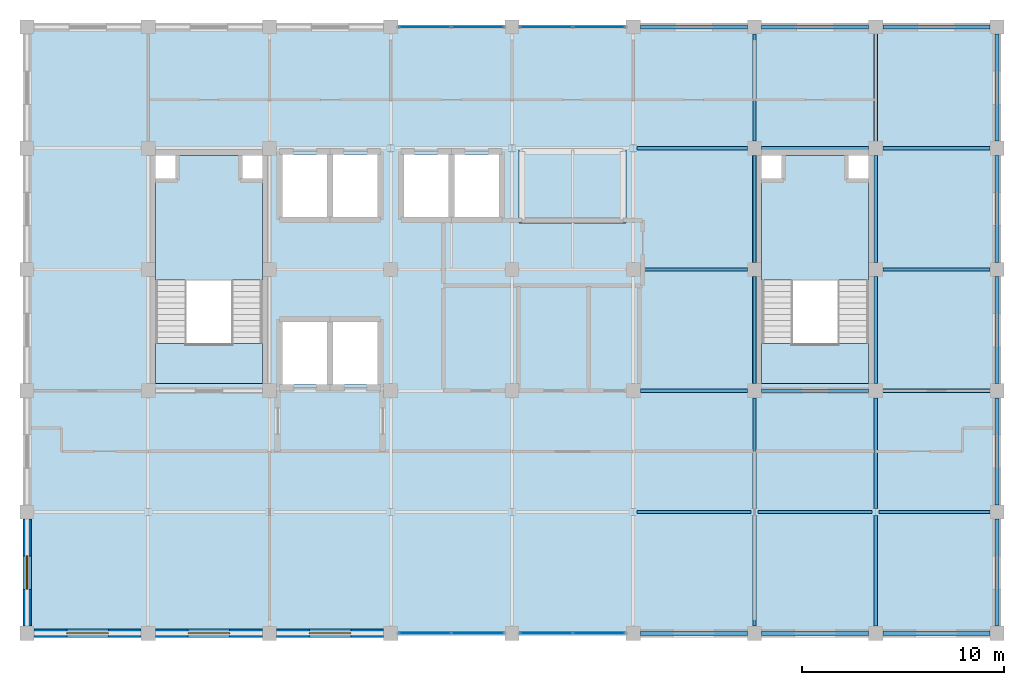
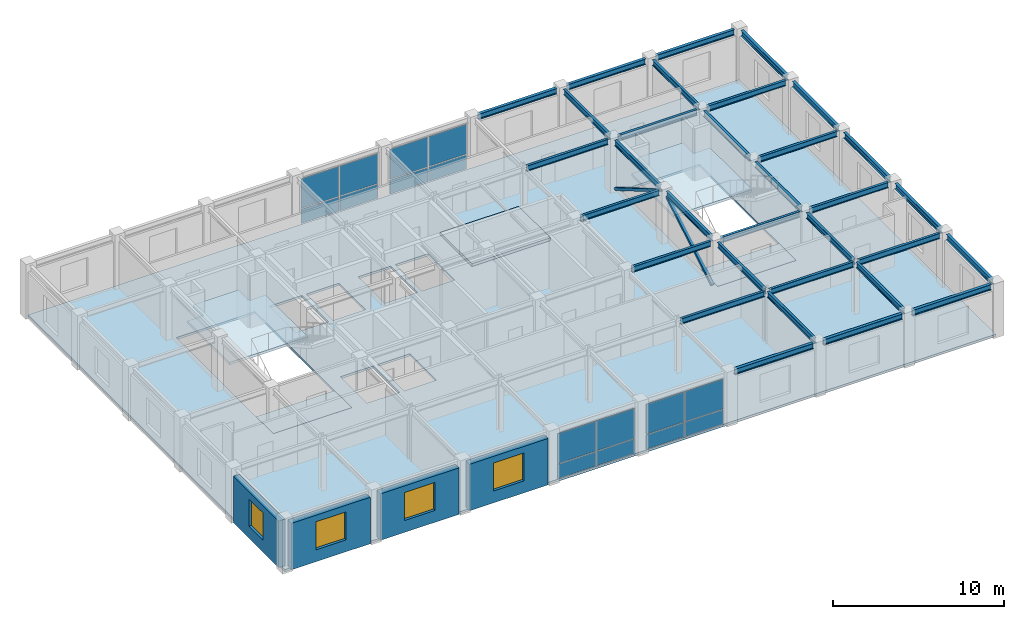
# One storey, part 8 of 13: 32 beams, 16 plates, 6 slabs, 4 walls, 4 windows, 2 members, 4 openings, 6 elements without a shape of their own.
"""IFC4 building model written with IfcOpenShell, lengths in metres."""

from ifc_helpers import new_model, si_unit, direction, frame, frame_2d, origin, origin_2d, place, context, subcontext, project, spatial, polyline, rectangle, hollow_rectangle, i_section, outline, extrude, material, layer, layer_set, material_profile, profile_set, type_object, element, fill, aggregate, save


model = new_model("IFC4")

# Units and contexts
model_context = context("Model", 3, precision=1e-05, world=origin(), true_north=direction((0.0, 1.0)))
body_context = subcontext(model_context, "Body", "Model", "MODEL_VIEW")
ifc_project = project(units=[si_unit("LENGTHUNIT", "METRE"), si_unit("AREAUNIT", "SQUARE_METRE"), si_unit("VOLUMEUNIT", "CUBIC_METRE"), si_unit("PLANEANGLEUNIT", "RADIAN"), si_unit("MASSUNIT", "GRAM", prefix="KILO")], contexts=[model_context])

# Site, building, storey
site_placement = place(None, origin())
site = spatial("IfcSite", under=ifc_project, at=site_placement, CompositionType="ELEMENT")
building_placement = place(site_placement, origin())
building = spatial("IfcBuilding", under=site, at=building_placement, Name="Zlatovratsky Civic Hall", CompositionType="ELEMENT")
storey_placement = place(building_placement, frame((0.0, 0.0, 44.39990234375)))
storey = spatial("IfcBuildingStorey", under=building, at=storey_placement, Name="L11", CompositionType="ELEMENT", Elevation=44.39990234375)

# Beams
ifc_material_1 = material(Name="Steel S355", Category="steel")
ifc_material_profile_1 = material_profile(ifc_material_1, i_section(OverallWidth=0.199951171875, OverallDepth=0.39990234375, WebThickness=0.008056640625, FlangeThickness=0.012939453125, FilletRadius=0.014892578125, at=origin_2d()), Name="40B2")
ifc_profile_set_1 = profile_set([ifc_material_profile_1], Name="Steel S355")
beam_type_1 = type_object("IfcBeamType", Name="Beam_Spandrel_40B2", PredefinedType="SPANDREL", material=ifc_profile_set_1)
for number, where, z_axis, x_axis, name in (
    (1, (90.35009765625, 72.0, 3.5400390625), (1.0, 0.0, 0.0), (0.0, 1.0, 0.0), "BM-4708"),
    (2, (96.35009765625, 72.0, 3.5400390625), (1.0, 0.0, 0.0), (0.0, 1.0, 0.0), "BM-4709"),
    (3, (102.35009765625, 72.0, 3.5400390625), (1.0, 0.0, 0.0), (0.0, 1.0, 0.0), "BM-4710"),
    (4, (90.35009765625, 102.0, 3.5400390625), (1.0, 0.0, 0.0), (0.0, 1.0, 0.0), "BM-4746"),
    (5, (96.35009765625, 102.0, 3.5400390625), (1.0, 0.0, 0.0), (0.0, 1.0, 0.0), "BM-4747"),
    (6, (102.35009765625, 102.0, 3.5400390625), (1.0, 0.0, 0.0), (0.0, 1.0, 0.0), "BM-4748"),
    (7, (108.0, 72.35009765625, 3.5400390625), (0.0, 1.0, 0.0), (-1.0, 0.0, 0.0), "BM-4789"),
    (8, (108.0, 78.35009765625, 3.5400390625), (0.0, 1.0, 0.0), (-1.0, 0.0, 0.0), "BM-4790"),
    (9, (108.0, 84.35009765625, 3.5400390625), (0.0, 1.0, 0.0), (-1.0, 0.0, 0.0), "BM-4791"),
    (10, (108.0, 90.35009765625, 3.5400390625), (0.0, 1.0, 0.0), (-1.0, 0.0, 0.0), "BM-4792"),
    (11, (108.0, 96.35009765625, 3.5400390625), (0.0, 1.0, 0.0), (-1.0, 0.0, 0.0), "BM-4793"),
):
    element("IfcBeam", number, at=place(storey_placement, frame(where, z_axis=z_axis, x_axis=x_axis)), inside=storey, type_object=beam_type_1, Name=name, PredefinedType="SPANDREL", context=body_context, shape_type="SweptSolid", body=[
        extrude(i_section(OverallWidth=0.199951171875, OverallDepth=0.39990234375, WebThickness=0.008056640625, FlangeThickness=0.012939453125, FilletRadius=0.014892578125, at=origin_2d()), origin(), (0.0, 0.0, 1.0), 5.2998046875),
    ])
ifc_material_profile_2 = material_profile(ifc_material_1, i_section(OverallWidth=0.1650390625, OverallDepth=0.39208984375, WebThickness=0.006591796875, FlangeThickness=0.009521484375, FilletRadius=0.014892578125, at=origin_2d()), Name="40B1")
ifc_profile_set_2 = profile_set([ifc_material_profile_2], Name="Steel S355")
beam_type_2 = type_object("IfcBeamType", Name="Beam_Tie_40B1", PredefinedType="BEAM", material=ifc_profile_set_2)
for number, where, z_axis, x_axis, name in (
    (12, (90.175048828125, 78.0, 3.544189453125), (1.0, 0.0, 0.0), (0.0, 1.0, 0.0), "BM-4716"),
    (13, (96.175048828125, 78.0, 3.544189453125), (1.0, 0.0, 0.0), (0.0, 1.0, 0.0), "BM-4717"),
):
    element("IfcBeam", number, at=place(storey_placement, frame(where, z_axis=z_axis, x_axis=x_axis)), inside=storey, type_object=beam_type_2, Name=name, PredefinedType="BEAM", context=body_context, shape_type="SweptSolid", body=[
        extrude(i_section(OverallWidth=0.1650390625, OverallDepth=0.39208984375, WebThickness=0.006591796875, FlangeThickness=0.009521484375, FilletRadius=0.014892578125, at=origin_2d()), origin(), (0.0, 0.0, 1.0), 5.64990234375),
    ])
beam_1_placement = place(storey_placement, frame((102.175048828125, 78.0, 3.544189453125), z_axis=(1.0, 0.0, 0.0), x_axis=(0.0, 1.0, 0.0)))
element("IfcBeam", 14, at=beam_1_placement, inside=storey, type_object=beam_type_2, Name="BM-4718", PredefinedType="BEAM", context=body_context, shape_type="SweptSolid", body=[
    extrude(i_section(OverallWidth=0.1650390625, OverallDepth=0.39208984375, WebThickness=0.006591796875, FlangeThickness=0.009521484375, FilletRadius=0.014892578125, at=origin_2d()), origin(), (0.0, 0.0, 1.0), 5.474853515625),
])
for number, where, z_axis, x_axis, name in (
    (15, (90.35009765625, 84.0, 3.544189453125), (1.0, 0.0, 0.0), (0.0, 1.0, 0.0), "BM-4724"),
    (16, (96.35009765625, 84.0, 3.544189453125), (1.0, 0.0, 0.0), (0.0, 1.0, 0.0), "BM-4725"),
    (17, (102.35009765625, 84.0, 3.544189453125), (1.0, 0.0, 0.0), (0.0, 1.0, 0.0), "BM-4726"),
    (18, (90.35009765625, 90.0, 3.544189453125), (1.0, 0.0, 0.0), (0.0, 1.0, 0.0), "BM-4731"),
    (19, (102.35009765625, 90.0, 3.544189453125), (1.0, 0.0, 0.0), (0.0, 1.0, 0.0), "BM-4732"),
):
    element("IfcBeam", number, at=place(storey_placement, frame(where, z_axis=z_axis, x_axis=x_axis)), inside=storey, type_object=beam_type_2, Name=name, PredefinedType="BEAM", context=body_context, shape_type="SweptSolid", body=[
        extrude(i_section(OverallWidth=0.1650390625, OverallDepth=0.39208984375, WebThickness=0.006591796875, FlangeThickness=0.009521484375, FilletRadius=0.014892578125, at=origin_2d()), origin(), (0.0, 0.0, 1.0), 5.2998046875),
    ])
beam_2_placement = place(storey_placement, frame((90.175048828125, 96.0, 3.544189453125), z_axis=(1.0, 0.0, 0.0), x_axis=(0.0, 1.0, 0.0)))
element("IfcBeam", 20, at=beam_2_placement, inside=storey, type_object=beam_type_2, Name="BM-4738", PredefinedType="BEAM", context=body_context, shape_type="SweptSolid", body=[
    extrude(i_section(OverallWidth=0.1650390625, OverallDepth=0.39208984375, WebThickness=0.006591796875, FlangeThickness=0.009521484375, FilletRadius=0.014892578125, at=origin_2d()), origin(), (0.0, 0.0, 1.0), 5.474853515625),
])
for number, where, z_axis, x_axis, name in (
    (21, (96.35009765625, 96.0, 3.544189453125), (1.0, 0.0, 0.0), (0.0, 1.0, 0.0), "BM-4739"),
    (22, (102.35009765625, 96.0, 3.544189453125), (1.0, 0.0, 0.0), (0.0, 1.0, 0.0), "BM-4740"),
):
    element("IfcBeam", number, at=place(storey_placement, frame(where, z_axis=z_axis, x_axis=x_axis)), inside=storey, type_object=beam_type_2, Name=name, PredefinedType="BEAM", context=body_context, shape_type="SweptSolid", body=[
        extrude(i_section(OverallWidth=0.1650390625, OverallDepth=0.39208984375, WebThickness=0.006591796875, FlangeThickness=0.009521484375, FilletRadius=0.014892578125, at=origin_2d()), origin(), (0.0, 0.0, 1.0), 5.2998046875),
    ])
for number, where, z_axis, x_axis, name in (
    (23, (96.0, 72.35009765625, 3.544189453125), (0.0, 1.0, 0.0), (-1.0, 0.0, 0.0), "BM-4779"),
    (24, (96.0, 78.17138671875, 3.544189453125), (0.0, 1.0, 0.0), (-1.0, 0.0, 0.0), "BM-4780"),
):
    element("IfcBeam", number, at=place(storey_placement, frame(where, z_axis=z_axis, x_axis=x_axis)), inside=storey, type_object=beam_type_2, Name=name, PredefinedType="BEAM", context=body_context, shape_type="SweptSolid", body=[
        extrude(i_section(OverallWidth=0.1650390625, OverallDepth=0.39208984375, WebThickness=0.006591796875, FlangeThickness=0.009521484375, FilletRadius=0.014892578125, at=origin_2d()), origin(), (0.0, 0.0, 1.0), 5.478515625),
    ])
for number, where, z_axis, x_axis, name in (
    (25, (96.0, 84.35009765625, 3.544189453125), (0.0, 1.0, 0.0), (-1.0, 0.0, 0.0), "BM-4781"),
    (26, (96.0, 90.35009765625, 3.544189453125), (0.0, 1.0, 0.0), (-1.0, 0.0, 0.0), "BM-4782"),
    (27, (96.0, 96.35009765625, 3.544189453125), (0.0, 1.0, 0.0), (-1.0, 0.0, 0.0), "BM-4783"),
):
    element("IfcBeam", number, at=place(storey_placement, frame(where, z_axis=z_axis, x_axis=x_axis)), inside=storey, type_object=beam_type_2, Name=name, PredefinedType="BEAM", context=body_context, shape_type="SweptSolid", body=[
        extrude(i_section(OverallWidth=0.1650390625, OverallDepth=0.39208984375, WebThickness=0.006591796875, FlangeThickness=0.009521484375, FilletRadius=0.014892578125, at=origin_2d()), origin(), (0.0, 0.0, 1.0), 5.2998046875),
    ])
for number, where, z_axis, x_axis, name in (
    (28, (102.0, 72.35009765625, 3.544189453125), (0.0, 1.0, 0.0), (-1.0, 0.0, 0.0), "BM-4784"),
    (29, (102.0, 78.17138671875, 3.544189453125), (0.0, 1.0, 0.0), (-1.0, 0.0, 0.0), "BM-4785"),
):
    element("IfcBeam", number, at=place(storey_placement, frame(where, z_axis=z_axis, x_axis=x_axis)), inside=storey, type_object=beam_type_2, Name=name, PredefinedType="BEAM", context=body_context, shape_type="SweptSolid", body=[
        extrude(i_section(OverallWidth=0.1650390625, OverallDepth=0.39208984375, WebThickness=0.006591796875, FlangeThickness=0.009521484375, FilletRadius=0.014892578125, at=origin_2d()), origin(), (0.0, 0.0, 1.0), 5.478515625),
    ])
for number, where, z_axis, x_axis, name in (
    (30, (102.0, 84.35009765625, 3.544189453125), (0.0, 1.0, 0.0), (-1.0, 0.0, 0.0), "BM-4786"),
    (31, (102.0, 90.35009765625, 3.544189453125), (0.0, 1.0, 0.0), (-1.0, 0.0, 0.0), "BM-4787"),
    (32, (102.0, 96.35009765625, 3.544189453125), (0.0, 1.0, 0.0), (-1.0, 0.0, 0.0), "BM-4788"),
):
    element("IfcBeam", number, at=place(storey_placement, frame(where, z_axis=z_axis, x_axis=x_axis)), inside=storey, type_object=beam_type_2, Name=name, PredefinedType="BEAM", context=body_context, shape_type="SweptSolid", body=[
        extrude(i_section(OverallWidth=0.1650390625, OverallDepth=0.39208984375, WebThickness=0.006591796875, FlangeThickness=0.009521484375, FilletRadius=0.014892578125, at=origin_2d()), origin(), (0.0, 0.0, 1.0), 5.2998046875),
    ])

# Members
ifc_material_profile_3 = material_profile(ifc_material_1, hollow_rectangle(XDim=0.179931640625, YDim=0.179931640625, WallThickness=0.008056640625, at=origin_2d()), Name="SHS 180x180x8")
ifc_profile_set_3 = profile_set([ifc_material_profile_3], Name="Steel S355")
member_type = type_object("IfcMemberType", Name="Brace_TowerMid_SHS180", PredefinedType="BRACE", material=ifc_profile_set_3)
for number, where, z_axis, x_axis, name in (
    (33, (96.0, 84.35009765625, 0.25), (0.0, 0.863172562464, 0.504909028845), (-1.0, 0.0, 0.0), "MB-0150"),
    (34, (96.0, 90.35009765625, 3.35009765625), (0.0, 0.863172562464, -0.504909028845), (-1.0, 0.0, 0.0), "MB-0151"),
):
    element("IfcMember", number, at=place(storey_placement, frame(where, z_axis=z_axis, x_axis=x_axis)), inside=storey, type_object=member_type, Name=name, PredefinedType="BRACE", context=body_context, shape_type="SweptSolid", body=[
        extrude(hollow_rectangle(XDim=0.179931640625, YDim=0.179931640625, WallThickness=0.008056640625, at=origin_2d()), origin(), (0.0, 0.0, 1.0), 6.139892578125),
    ])

# Curtain wall, plates
ifc_material_2 = material(Name="Anodised bronze aluminium", Category="aluminium")
ifc_layer_1 = layer(ifc_material_2, 0.159912109375)
ifc_layer_set_1 = layer_set([ifc_layer_1], Name="Anodised bronze aluminium")
curtain_wall_type = type_object("IfcCurtainWallType", Name="CurtainWall_Bronze_5300x3320_21", PredefinedType="NOTDEFINED", material=ifc_layer_set_1)
curtain_wall_1_placement = place(storey_placement, origin())
curtain_wall_1 = element("IfcCurtainWall", 35, at=curtain_wall_1_placement, inside=storey, type_object=curtain_wall_type, Name="CW-153", PredefinedType="NOTDEFINED")
ifc_material_3 = material(Name="Solar-control triple glazing", Category="glass")
ifc_layer_2 = layer(ifc_material_3, 0.028076171875)
ifc_layer_set_2 = layer_set([ifc_layer_2], Name="Solar-control triple glazing")
plate_type = type_object("IfcPlateType", Name="Panel_TowerTripleGlazing_28", PredefinedType="CURTAIN_PANEL", material=ifc_layer_set_2)
plate_1_placement = place(storey_placement, frame((79.68994140625, 72.0, 0.06005859375), z_axis=(0.0, 0.0, 1.0), x_axis=(1.0, 0.0, 0.0)))
plate_1 = element("IfcPlate", 36, at=plate_1_placement, type_object=plate_type, Name="CW-21 panel 1.1", PredefinedType="CURTAIN_PANEL", context=body_context, shape_type="SweptSolid", body=[
    extrude(rectangle(XDim=2.56005859375, YDim=0.028076171875, at=origin_2d()), origin(), (0.0, 0.0, 1.0), 1.010009765625),
])
plate_2_placement = place(storey_placement, frame((79.68994140625, 72.0, 1.130126953125), z_axis=(0.0, 0.0, 1.0), x_axis=(1.0, 0.0, 0.0)))
plate_2 = element("IfcPlate", 37, at=plate_2_placement, type_object=plate_type, Name="CW-21 panel 1.2", PredefinedType="CURTAIN_PANEL", context=body_context, shape_type="SweptSolid", body=[
    extrude(rectangle(XDim=2.56005859375, YDim=0.028076171875, at=origin_2d()), origin(), (0.0, 0.0, 1.0), 2.1298828125),
])
plate_3_placement = place(storey_placement, frame((82.31005859375, 72.0, 0.06005859375), z_axis=(0.0, 0.0, 1.0), x_axis=(1.0, 0.0, 0.0)))
plate_3 = element("IfcPlate", 38, at=plate_3_placement, type_object=plate_type, Name="CW-21 panel 2.1", PredefinedType="CURTAIN_PANEL", context=body_context, shape_type="SweptSolid", body=[
    extrude(rectangle(XDim=2.56005859375, YDim=0.028076171875, at=origin_2d()), origin(), (0.0, 0.0, 1.0), 1.010009765625),
])
plate_4_placement = place(storey_placement, frame((82.31005859375, 72.0, 1.130126953125), z_axis=(0.0, 0.0, 1.0), x_axis=(1.0, 0.0, 0.0)))
plate_4 = element("IfcPlate", 39, at=plate_4_placement, type_object=plate_type, Name="CW-21 panel 2.2", PredefinedType="CURTAIN_PANEL", context=body_context, shape_type="SweptSolid", body=[
    extrude(rectangle(XDim=2.56005859375, YDim=0.028076171875, at=origin_2d()), origin(), (0.0, 0.0, 1.0), 2.1298828125),
])
aggregate(curtain_wall_1, [plate_1, plate_2, plate_3, plate_4])

curtain_wall_2_placement = place(storey_placement, origin())
curtain_wall_2 = element("IfcCurtainWall", 40, at=curtain_wall_2_placement, inside=storey, type_object=curtain_wall_type, Name="CW-154", PredefinedType="NOTDEFINED")
plate_5_placement = place(storey_placement, frame((85.68994140625, 72.0, 0.06005859375), z_axis=(0.0, 0.0, 1.0), x_axis=(1.0, 0.0, 0.0)))
plate_5 = element("IfcPlate", 41, at=plate_5_placement, type_object=plate_type, Name="CW-21 panel 1.1", PredefinedType="CURTAIN_PANEL", context=body_context, shape_type="SweptSolid", body=[
    extrude(rectangle(XDim=2.56005859375, YDim=0.028076171875, at=origin_2d()), origin(), (0.0, 0.0, 1.0), 1.010009765625),
])
plate_6_placement = place(storey_placement, frame((85.68994140625, 72.0, 1.130126953125), z_axis=(0.0, 0.0, 1.0), x_axis=(1.0, 0.0, 0.0)))
plate_6 = element("IfcPlate", 42, at=plate_6_placement, type_object=plate_type, Name="CW-21 panel 1.2", PredefinedType="CURTAIN_PANEL", context=body_context, shape_type="SweptSolid", body=[
    extrude(rectangle(XDim=2.56005859375, YDim=0.028076171875, at=origin_2d()), origin(), (0.0, 0.0, 1.0), 2.1298828125),
])
plate_7_placement = place(storey_placement, frame((88.31005859375, 72.0, 0.06005859375), z_axis=(0.0, 0.0, 1.0), x_axis=(1.0, 0.0, 0.0)))
plate_7 = element("IfcPlate", 43, at=plate_7_placement, type_object=plate_type, Name="CW-21 panel 2.1", PredefinedType="CURTAIN_PANEL", context=body_context, shape_type="SweptSolid", body=[
    extrude(rectangle(XDim=2.56005859375, YDim=0.028076171875, at=origin_2d()), origin(), (0.0, 0.0, 1.0), 1.010009765625),
])
plate_8_placement = place(storey_placement, frame((88.31005859375, 72.0, 1.130126953125), z_axis=(0.0, 0.0, 1.0), x_axis=(1.0, 0.0, 0.0)))
plate_8 = element("IfcPlate", 44, at=plate_8_placement, type_object=plate_type, Name="CW-21 panel 2.2", PredefinedType="CURTAIN_PANEL", context=body_context, shape_type="SweptSolid", body=[
    extrude(rectangle(XDim=2.56005859375, YDim=0.028076171875, at=origin_2d()), origin(), (0.0, 0.0, 1.0), 2.1298828125),
])
aggregate(curtain_wall_2, [plate_5, plate_6, plate_7, plate_8])

curtain_wall_3_placement = place(storey_placement, origin())
curtain_wall_3 = element("IfcCurtainWall", 45, at=curtain_wall_3_placement, inside=storey, type_object=curtain_wall_type, Name="CW-155", PredefinedType="NOTDEFINED")
plate_9_placement = place(storey_placement, frame((79.68994140625, 102.0, 0.06005859375), z_axis=(0.0, 0.0, 1.0), x_axis=(1.0, 0.0, 0.0)))
plate_9 = element("IfcPlate", 46, at=plate_9_placement, type_object=plate_type, Name="CW-21 panel 1.1", PredefinedType="CURTAIN_PANEL", context=body_context, shape_type="SweptSolid", body=[
    extrude(rectangle(XDim=2.56005859375, YDim=0.028076171875, at=origin_2d()), origin(), (0.0, 0.0, 1.0), 1.010009765625),
])
plate_10_placement = place(storey_placement, frame((79.68994140625, 102.0, 1.130126953125), z_axis=(0.0, 0.0, 1.0), x_axis=(1.0, 0.0, 0.0)))
plate_10 = element("IfcPlate", 47, at=plate_10_placement, type_object=plate_type, Name="CW-21 panel 1.2", PredefinedType="CURTAIN_PANEL", context=body_context, shape_type="SweptSolid", body=[
    extrude(rectangle(XDim=2.56005859375, YDim=0.028076171875, at=origin_2d()), origin(), (0.0, 0.0, 1.0), 2.1298828125),
])
plate_11_placement = place(storey_placement, frame((82.31005859375, 102.0, 0.06005859375), z_axis=(0.0, 0.0, 1.0), x_axis=(1.0, 0.0, 0.0)))
plate_11 = element("IfcPlate", 48, at=plate_11_placement, type_object=plate_type, Name="CW-21 panel 2.1", PredefinedType="CURTAIN_PANEL", context=body_context, shape_type="SweptSolid", body=[
    extrude(rectangle(XDim=2.56005859375, YDim=0.028076171875, at=origin_2d()), origin(), (0.0, 0.0, 1.0), 1.010009765625),
])
plate_12_placement = place(storey_placement, frame((82.31005859375, 102.0, 1.130126953125), z_axis=(0.0, 0.0, 1.0), x_axis=(1.0, 0.0, 0.0)))
plate_12 = element("IfcPlate", 49, at=plate_12_placement, type_object=plate_type, Name="CW-21 panel 2.2", PredefinedType="CURTAIN_PANEL", context=body_context, shape_type="SweptSolid", body=[
    extrude(rectangle(XDim=2.56005859375, YDim=0.028076171875, at=origin_2d()), origin(), (0.0, 0.0, 1.0), 2.1298828125),
])
aggregate(curtain_wall_3, [plate_9, plate_10, plate_11, plate_12])

curtain_wall_4_placement = place(storey_placement, origin())
curtain_wall_4 = element("IfcCurtainWall", 50, at=curtain_wall_4_placement, inside=storey, type_object=curtain_wall_type, Name="CW-156", PredefinedType="NOTDEFINED")
plate_13_placement = place(storey_placement, frame((85.68994140625, 102.0, 0.06005859375), z_axis=(0.0, 0.0, 1.0), x_axis=(1.0, 0.0, 0.0)))
plate_13 = element("IfcPlate", 51, at=plate_13_placement, type_object=plate_type, Name="CW-21 panel 1.1", PredefinedType="CURTAIN_PANEL", context=body_context, shape_type="SweptSolid", body=[
    extrude(rectangle(XDim=2.56005859375, YDim=0.028076171875, at=origin_2d()), origin(), (0.0, 0.0, 1.0), 1.010009765625),
])
plate_14_placement = place(storey_placement, frame((85.68994140625, 102.0, 1.130126953125), z_axis=(0.0, 0.0, 1.0), x_axis=(1.0, 0.0, 0.0)))
plate_14 = element("IfcPlate", 52, at=plate_14_placement, type_object=plate_type, Name="CW-21 panel 1.2", PredefinedType="CURTAIN_PANEL", context=body_context, shape_type="SweptSolid", body=[
    extrude(rectangle(XDim=2.56005859375, YDim=0.028076171875, at=origin_2d()), origin(), (0.0, 0.0, 1.0), 2.1298828125),
])
plate_15_placement = place(storey_placement, frame((88.31005859375, 102.0, 0.06005859375), z_axis=(0.0, 0.0, 1.0), x_axis=(1.0, 0.0, 0.0)))
plate_15 = element("IfcPlate", 53, at=plate_15_placement, type_object=plate_type, Name="CW-21 panel 2.1", PredefinedType="CURTAIN_PANEL", context=body_context, shape_type="SweptSolid", body=[
    extrude(rectangle(XDim=2.56005859375, YDim=0.028076171875, at=origin_2d()), origin(), (0.0, 0.0, 1.0), 1.010009765625),
])
plate_16_placement = place(storey_placement, frame((88.31005859375, 102.0, 1.130126953125), z_axis=(0.0, 0.0, 1.0), x_axis=(1.0, 0.0, 0.0)))
plate_16 = element("IfcPlate", 54, at=plate_16_placement, type_object=plate_type, Name="CW-21 panel 2.2", PredefinedType="CURTAIN_PANEL", context=body_context, shape_type="SweptSolid", body=[
    extrude(rectangle(XDim=2.56005859375, YDim=0.028076171875, at=origin_2d()), origin(), (0.0, 0.0, 1.0), 2.1298828125),
])
aggregate(curtain_wall_4, [plate_13, plate_14, plate_15, plate_16])

# Slabs
ifc_material_4 = material(Name="Concrete C35/45 (B40)", Category="concrete")
ifc_layer_3 = layer(ifc_material_4, 0.199951171875)
ifc_layer_set_3 = layer_set([ifc_layer_3], Name="Concrete C35/45 (B40)")
slab_type_1 = type_object("IfcSlabType", Name="Slab_ChamberCofferedRoof_200", PredefinedType="ROOF", material=ifc_layer_set_3)
slab_1_placement = place(storey_placement, frame((0.0, 0.0, 0.800048828125)))
element("IfcSlab", 55, at=slab_1_placement, inside=storey, type_object=slab_type_1, Name="SL-109", PredefinedType="ROOF", context=body_context, shape_type="SweptSolid", body=[
    extrude(outline(polyline([(84.35009765625, 92.300048828125), (89.64990234375, 92.300048828125), (89.64990234375, 96.0), (84.35009765625, 96.0), (84.35009765625, 92.300048828125)])), origin(), (0.0, 0.0, 1.0), 0.199951171875),
])
ifc_material_5 = material(Name="Concrete C30/37 (B35)", Category="concrete")
ifc_layer_4 = layer(ifc_material_5, 0.239990234375)
ifc_layer_set_4 = layer_set([ifc_layer_4], Name="Concrete C30/37 (B35)")
slab_type_2 = type_object("IfcSlabType", Name="Slab_CivicPodiumFloor_240", PredefinedType="FLOOR", material=ifc_layer_set_4)
slab_2_placement = place(storey_placement, frame((0.0, 0.0, -0.239990234375)))
element("IfcSlab", 56, at=slab_2_placement, inside=storey, type_object=slab_type_2, Name="SL-068", PredefinedType="FLOOR", context=body_context, shape_type="SweptSolid", body=[
    extrude(outline(polyline([(66.35009765625, 84.35009765625), (71.64990234375, 84.35009765625), (71.64990234375, 86.35009765625), (66.35009765625, 86.35009765625), (66.35009765625, 84.35009765625)])), origin(), (0.0, 0.0, 1.0), 0.239990234375),
])
slab_3_placement = place(storey_placement, frame((0.0, 0.0, -0.239990234375)))
element("IfcSlab", 57, at=slab_3_placement, inside=storey, type_object=slab_type_2, Name="SL-069", PredefinedType="FLOOR", context=body_context, shape_type="SweptSolid", body=[
    extrude(outline(polyline([(96.35009765625, 84.35009765625), (101.64990234375, 84.35009765625), (101.64990234375, 86.35009765625), (96.35009765625, 86.35009765625), (96.35009765625, 84.35009765625)])), origin(), (0.0, 0.0, 1.0), 0.239990234375),
])

# Stair, slab
stair_type = type_object("IfcStairType", Name="Stair_HALF_24R_1550W_04", PredefinedType="HALF_TURN_STAIR", material=ifc_material_5)
stair_1_placement = place(storey_placement, origin())
stair_1 = element("IfcStair", 58, at=stair_1_placement, inside=storey, type_object=stair_type, Name="ST-012", PredefinedType="HALF_TURN_STAIR")
ifc_layer_5 = layer(ifc_material_5, 0.179931640625)
ifc_layer_set_5 = layer_set([ifc_layer_5], Name="Concrete C30/37 (B35)")
slab_type_3 = type_object("IfcSlabType", Name="Slab_StairLanding_180", PredefinedType="LANDING", material=ifc_layer_set_5)
slab_4_placement = place(storey_placement, frame((0.0, 0.0, 1.77001953125)))
slab_4 = element("IfcSlab", 59, at=slab_4_placement, type_object=slab_type_3, Name="SL-LD-12", PredefinedType="LANDING", context=body_context, shape_type="SweptSolid", body=[
    extrude(outline(polyline([(66.35009765625, 89.485107421875), (71.64990234375, 89.485107421875), (71.64990234375, 94.39990234375), (70.550048828125, 94.39990234375), (70.550048828125, 95.64990234375), (67.449951171875, 95.64990234375), (67.449951171875, 94.39990234375), (66.35009765625, 94.39990234375), (66.35009765625, 89.485107421875)])), origin(), (0.0, 0.0, 1.0), 0.18017578125),
])
aggregate(stair_1, [slab_4])

stair_2_placement = place(storey_placement, origin())
stair_2 = element("IfcStair", 60, at=stair_2_placement, inside=storey, type_object=stair_type, Name="ST-031", PredefinedType="HALF_TURN_STAIR")
slab_5_placement = place(storey_placement, frame((0.0, 0.0, 1.77001953125)))
slab_5 = element("IfcSlab", 61, at=slab_5_placement, type_object=slab_type_3, Name="SL-LD-31", PredefinedType="LANDING", context=body_context, shape_type="SweptSolid", body=[
    extrude(outline(polyline([(96.35009765625, 89.485107421875), (101.64990234375, 89.485107421875), (101.64990234375, 94.39990234375), (100.550048828125, 94.39990234375), (100.550048828125, 95.64990234375), (97.449951171875, 95.64990234375), (97.449951171875, 94.39990234375), (96.35009765625, 94.39990234375), (96.35009765625, 89.485107421875)])), origin(), (0.0, 0.0, 1.0), 0.18017578125),
])
aggregate(stair_2, [slab_5])

# Slab
ifc_layer_6 = layer(ifc_material_5, 0.159912109375)
ifc_layer_set_6 = layer_set([ifc_layer_6], Name="Concrete C30/37 (B35)")
slab_type_4 = type_object("IfcSlabType", Name="Slab_TowerCompositeFloor_160", PredefinedType="FLOOR", material=ifc_layer_set_6)
slab_6_placement = place(storey_placement, frame((0.0, 0.0, -0.159912109375)))
element("IfcSlab", 62, at=slab_6_placement, inside=storey, type_object=slab_type_4, Name="SL-067", PredefinedType="FLOOR", context=body_context, shape_type="SweptSolid", body=[
    extrude(outline(polyline([(60.0, 72.0), (108.0, 72.0), (108.0, 102.0), (60.0, 102.0), (60.0, 72.0)]), holes=[polyline([(66.35009765625, 84.35009765625), (71.64990234375, 84.35009765625), (71.64990234375, 95.64990234375), (66.35009765625, 95.64990234375), (66.35009765625, 84.35009765625)]), polyline([(96.35009765625, 84.35009765625), (101.64990234375, 84.35009765625), (101.64990234375, 95.64990234375), (96.35009765625, 95.64990234375), (96.35009765625, 84.35009765625)]), polyline([(72.64990234375, 84.300048828125), (74.85009765625, 84.300048828125), (74.85009765625, 87.39990234375), (72.64990234375, 87.39990234375), (72.64990234375, 84.300048828125)]), polyline([(75.14990234375, 84.300048828125), (77.35009765625, 84.300048828125), (77.35009765625, 87.39990234375), (75.14990234375, 87.39990234375), (75.14990234375, 84.300048828125)]), polyline([(72.64990234375, 92.60009765625), (74.85009765625, 92.60009765625), (74.85009765625, 95.699951171875), (72.64990234375, 95.699951171875), (72.64990234375, 92.60009765625)]), polyline([(75.14990234375, 92.60009765625), (77.35009765625, 92.60009765625), (77.35009765625, 95.699951171875), (75.14990234375, 95.699951171875), (75.14990234375, 92.60009765625)]), polyline([(78.64990234375, 92.60009765625), (80.85009765625, 92.60009765625), (80.85009765625, 95.699951171875), (78.64990234375, 95.699951171875), (78.64990234375, 92.60009765625)]), polyline([(81.14990234375, 92.60009765625), (83.35009765625, 92.60009765625), (83.35009765625, 95.699951171875), (81.14990234375, 95.699951171875), (81.14990234375, 92.60009765625)])]), origin(), (0.0, 0.0, 1.0), 0.159912109375),
])

# Wall, opening, window
ifc_material_6 = material(Name="Acoustic ceramic blockwork", Category="masonry")
ifc_layer_7 = layer(ifc_material_6, 0.280029296875, Name="Backing")
ifc_material_7 = material(Name="Podolsk limestone ashlar", Category="masonry")
ifc_layer_8 = layer(ifc_material_7, 0.139892578125, Name="Finish")
ifc_layer_set_7 = layer_set([ifc_layer_7, ifc_layer_8], Name="Acoustic ceramic blockwork")
wall_type = type_object("IfcWallType", Name="Wall_TowerLimestoneAshlar_420", PredefinedType="SOLIDWALL", material=ifc_layer_set_7)
wall_1_placement = place(storey_placement, frame((60.35009765625, 72.0, 0.0), z_axis=(0.0, 0.0, 1.0), x_axis=(1.0, 0.0, 0.0)))
wall_1 = element("IfcWall", 63, at=wall_1_placement, inside=storey, type_object=wall_type, Name="WL-0545", PredefinedType="SOLIDWALL", context=body_context, shape_type="SweptSolid", body=[
    extrude(rectangle(XDim=5.2998046875, YDim=0.419921875, at=frame_2d((2.64990234375, 0.0))), origin(), (0.0, 0.0, 1.0), 3.320068359375),
])
opening_1_placement = place(wall_1_placement, frame((1.625, 0.0, 0.85009765625)))
opening_1 = element("IfcOpeningElement", 64, at=opening_1_placement, cuts=wall_1, Name="Opening WN-17", PredefinedType="OPENING", context=body_context, shape_type="SweptSolid", body=[
    extrude(rectangle(XDim=2.050048828125, YDim=2.0, at=frame_2d((1.02490234375, 1.0))), frame((0.0, 0.224853515625, 0.0), z_axis=(0.0, -1.0, 0.0), x_axis=(1.0, 0.0, 0.0)), (0.0, 0.0, 1.0), 0.44970703125),
])
ifc_material_8 = material(Name="Low-E laminated double glazing", Category="glass")
window_type_1 = type_object("IfcWindowType", Name="Window_TowerTier2South_2050x2000", PartitioningType="SINGLE_PANEL", PredefinedType="WINDOW", material=ifc_material_8)
window_1_placement = place(opening_1_placement, origin())
window_1 = element("IfcWindow", 65, at=window_1_placement, inside=storey, type_object=window_type_1, Name="WN-0419", OverallHeight=2.0, OverallWidth=2.050048828125, PartitioningType="SINGLE_PANEL", PredefinedType="WINDOW", context=body_context, shape_type="SweptSolid", body=[
    extrude(rectangle(XDim=2.050048828125, YDim=2.0, at=frame_2d((1.02490234375, 1.0))), frame((0.0, 0.030029296875, 0.0), z_axis=(0.0, -1.0, 0.0), x_axis=(1.0, 0.0, 0.0)), (0.0, 0.0, 1.0), 0.06005859375),
])
fill(opening_1, window_1)

wall_2_placement = place(storey_placement, frame((66.35009765625, 72.0, 0.0), z_axis=(0.0, 0.0, 1.0), x_axis=(1.0, 0.0, 0.0)))
wall_2 = element("IfcWall", 66, at=wall_2_placement, inside=storey, type_object=wall_type, Name="WL-0546", PredefinedType="SOLIDWALL", context=body_context, shape_type="SweptSolid", body=[
    extrude(rectangle(XDim=5.2998046875, YDim=0.419921875, at=frame_2d((2.64990234375, 0.0))), origin(), (0.0, 0.0, 1.0), 3.320068359375),
])
opening_2_placement = place(wall_2_placement, frame((1.625, 0.0, 0.85009765625)))
opening_2 = element("IfcOpeningElement", 67, at=opening_2_placement, cuts=wall_2, Name="Opening WN-17", PredefinedType="OPENING", context=body_context, shape_type="SweptSolid", body=[
    extrude(rectangle(XDim=2.050048828125, YDim=2.0, at=frame_2d((1.02490234375, 1.0))), frame((0.0, 0.224853515625, 0.0), z_axis=(0.0, -1.0, 0.0), x_axis=(1.0, 0.0, 0.0)), (0.0, 0.0, 1.0), 0.44970703125),
])
window_2_placement = place(opening_2_placement, origin())
window_2 = element("IfcWindow", 68, at=window_2_placement, inside=storey, type_object=window_type_1, Name="WN-0420", OverallHeight=2.0, OverallWidth=2.050048828125, PartitioningType="SINGLE_PANEL", PredefinedType="WINDOW", context=body_context, shape_type="SweptSolid", body=[
    extrude(rectangle(XDim=2.050048828125, YDim=2.0, at=frame_2d((1.02490234375, 1.0))), frame((0.0, 0.030029296875, 0.0), z_axis=(0.0, -1.0, 0.0), x_axis=(1.0, 0.0, 0.0)), (0.0, 0.0, 1.0), 0.06005859375),
])
fill(opening_2, window_2)

wall_3_placement = place(storey_placement, frame((72.35009765625, 72.0, 0.0), z_axis=(0.0, 0.0, 1.0), x_axis=(1.0, 0.0, 0.0)))
wall_3 = element("IfcWall", 69, at=wall_3_placement, inside=storey, type_object=wall_type, Name="WL-0547", PredefinedType="SOLIDWALL", context=body_context, shape_type="SweptSolid", body=[
    extrude(rectangle(XDim=5.2998046875, YDim=0.419921875, at=frame_2d((2.64990234375, 0.0))), origin(), (0.0, 0.0, 1.0), 3.320068359375),
])
opening_3_placement = place(wall_3_placement, frame((1.625, 0.0, 0.85009765625)))
opening_3 = element("IfcOpeningElement", 70, at=opening_3_placement, cuts=wall_3, Name="Opening WN-17", PredefinedType="OPENING", context=body_context, shape_type="SweptSolid", body=[
    extrude(rectangle(XDim=2.050048828125, YDim=2.0, at=frame_2d((1.02490234375, 1.0))), frame((0.0, 0.224853515625, 0.0), z_axis=(0.0, -1.0, 0.0), x_axis=(1.0, 0.0, 0.0)), (0.0, 0.0, 1.0), 0.44970703125),
])
window_3_placement = place(opening_3_placement, origin())
window_3 = element("IfcWindow", 71, at=window_3_placement, inside=storey, type_object=window_type_1, Name="WN-0421", OverallHeight=2.0, OverallWidth=2.050048828125, PartitioningType="SINGLE_PANEL", PredefinedType="WINDOW", context=body_context, shape_type="SweptSolid", body=[
    extrude(rectangle(XDim=2.050048828125, YDim=2.0, at=frame_2d((1.02490234375, 1.0))), frame((0.0, 0.030029296875, 0.0), z_axis=(0.0, -1.0, 0.0), x_axis=(1.0, 0.0, 0.0)), (0.0, 0.0, 1.0), 0.06005859375),
])
fill(opening_3, window_3)

wall_4_placement = place(storey_placement, frame((60.0, 72.35009765625, 0.0), z_axis=(0.0, 0.0, 1.0), x_axis=(0.0, 1.0, 0.0)))
wall_4 = element("IfcWall", 72, at=wall_4_placement, inside=storey, type_object=wall_type, Name="WL-0557", PredefinedType="SOLIDWALL", context=body_context, shape_type="SweptSolid", body=[
    extrude(rectangle(XDim=5.2998046875, YDim=0.419921875, at=frame_2d((2.64990234375, 0.0))), origin(), (0.0, 0.0, 1.0), 3.320068359375),
])
opening_4_placement = place(wall_4_placement, frame((1.824951171875, 0.0, 0.85009765625)))
opening_4 = element("IfcOpeningElement", 73, at=opening_4_placement, cuts=wall_4, Name="Opening WN-19", PredefinedType="OPENING", context=body_context, shape_type="SweptSolid", body=[
    extrude(rectangle(XDim=1.64990234375, YDim=1.949951171875, at=frame_2d((0.824951171875, 0.97509765625))), frame((0.0, 0.224853515625, 0.0), z_axis=(0.0, -1.0, 0.0), x_axis=(1.0, 0.0, 0.0)), (0.0, 0.0, 1.0), 0.44970703125),
])
window_type_2 = type_object("IfcWindowType", Name="Window_TowerTier2Flank_1650x1950", PartitioningType="SINGLE_PANEL", PredefinedType="WINDOW", material=ifc_material_8)
window_4_placement = place(opening_4_placement, origin())
window_4 = element("IfcWindow", 74, at=window_4_placement, inside=storey, type_object=window_type_2, Name="WN-0431", OverallHeight=1.949951171875, OverallWidth=1.64990234375, PartitioningType="SINGLE_PANEL", PredefinedType="WINDOW", context=body_context, shape_type="SweptSolid", body=[
    extrude(rectangle(XDim=1.64990234375, YDim=1.949951171875, at=frame_2d((0.824951171875, 0.97509765625))), frame((0.0, 0.030029296875, 0.0), z_axis=(0.0, -1.0, 0.0), x_axis=(1.0, 0.0, 0.0)), (0.0, 0.0, 1.0), 0.06005859375),
])
fill(opening_4, window_4)

save(model, "model.ifc")
